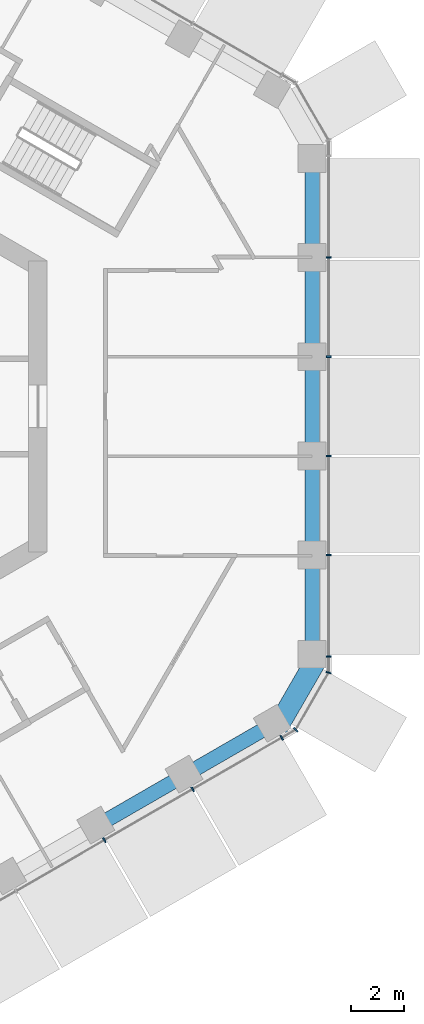
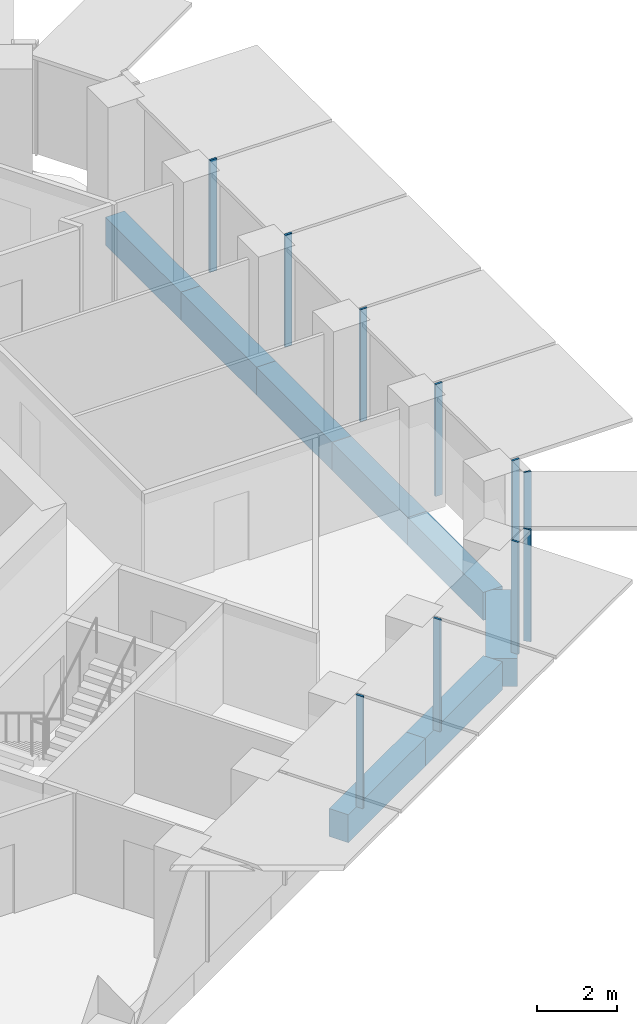
# One storey, part 4 of 18: 10 members, 8 beams, 3 elements without a shape of their own.
"""IFC4 building model written with IfcOpenShell, lengths in metres."""

import ifcopenshell
import ifcopenshell.guid

model = None  # the IFC model being written
_history = None  # IfcOwnerHistory: only IFC2X3 demands one
_inside = {}  # id of a spatial element -> (the spatial element, [elements in it])
_under = {}  # id of a project, library or spatial element -> (it, [spatial elements below it])
_declared = {}  # id of a project -> (the project, [libraries it declares])
_typed = {}  # id of a type object -> (the type object, [elements of that type])
_made_of = {}  # id of a material, layer set ... -> (it, [elements and type objects made of it])


def new_model(schema):
    """Start an empty IFC model of exactly this schema.

    Asked for "IFC4X3", IfcOpenShell would pick the latest addendum, in which some entities
    have other attributes; the version numbers below select the first issue.
    IFC2X3 requires an IfcOwnerHistory on every rooted entity: one is made here for all.
    """
    global model, _history
    if schema == "IFC4X3":
        model = ifcopenshell.file(schema_version=(4, 3, 0, 0))
    else:
        model = ifcopenshell.file(schema=schema)
    _inside.clear()
    _under.clear()
    _declared.clear()
    _typed.clear()
    _made_of.clear()
    _history = None
    if model.schema == "IFC2X3":
        org = make("IfcOrganization", Name="unknown")
        user = make(
            "IfcPersonAndOrganization",
            ThePerson=make("IfcPerson", FamilyName="unknown"),
            TheOrganization=org,
        )
        app = make(
            "IfcApplication",
            ApplicationDeveloper=org,
            Version="unknown",
            ApplicationFullName="unknown",
            ApplicationIdentifier="unknown",
        )
        _history = make(
            "IfcOwnerHistory",
            OwningUser=user,
            OwningApplication=app,
            ChangeAction="ADDED",
            CreationDate=0,
        )
    return model


def make(cls, **values):
    """One entity of the class cls with the attributes given. An attribute that is None is left unset."""
    return model.create_entity(
        cls, **{name: value for name, value in values.items() if value is not None}
    )


def rooted(cls, **values):
    """An entity with a GlobalId (a new one), such as an element, a storey or a relation."""
    return make(cls, GlobalId=ifcopenshell.guid.new(), OwnerHistory=_history, **values)


def si_unit(unit_type, name, prefix=None):
    """IfcSIUnit, for example si_unit("LENGTHUNIT", "METRE", prefix="MILLI")."""
    return make("IfcSIUnit", UnitType=unit_type, Prefix=prefix, Name=name)


def assignment(units):
    """IfcUnitAssignment: the units of a project."""
    return None if units is None else make("IfcUnitAssignment", Units=units)


def point(xyz):
    """IfcCartesianPoint."""
    return None if xyz is None else make("IfcCartesianPoint", Coordinates=xyz)


def direction(xyz):
    """IfcDirection."""
    return None if xyz is None else make("IfcDirection", DirectionRatios=xyz)


def frame(location, z_axis=None, x_axis=None):
    """IfcAxis2Placement3D, a coordinate frame: its origin and axes. An axis left out is left unset."""
    return make(
        "IfcAxis2Placement3D",
        Location=point(location),
        Axis=direction(z_axis),
        RefDirection=direction(x_axis),
    )


def frame_2d(location, x_axis=None):
    """IfcAxis2Placement2D, a coordinate frame in the plane: its origin and x axis."""
    return make(
        "IfcAxis2Placement2D", Location=point(location), RefDirection=direction(x_axis)
    )


def origin():
    """The frame at (0, 0, 0) with its axes left unset."""
    return frame((0.0, 0.0, 0.0))


def origin_2d():
    """The frame at (0, 0) in the plane with its x axis left unset."""
    return frame_2d((0.0, 0.0))


def place(relative_to, where):
    """IfcLocalPlacement: puts the frame where relative to a parent placement (None: the world)."""
    return make(
        "IfcLocalPlacement", PlacementRelTo=relative_to, RelativePlacement=where
    )


def context(
    kind, dimensions, precision=None, world=None, true_north=None, identifier=None
):
    """IfcGeometricRepresentationContext, for example the 3D "Model" context."""
    return make(
        "IfcGeometricRepresentationContext",
        ContextIdentifier=identifier,
        ContextType=kind,
        CoordinateSpaceDimension=dimensions,
        Precision=precision,
        WorldCoordinateSystem=world,
        TrueNorth=true_north,
    )


def subcontext(parent, identifier, kind, view, scale=None):
    """IfcGeometricRepresentationSubContext, for example "Body" below "Model"."""
    return make(
        "IfcGeometricRepresentationSubContext",
        ContextIdentifier=identifier,
        ContextType=kind,
        ParentContext=parent,
        TargetScale=scale,
        TargetView=view,
    )


def project(units=None, contexts=None):
    """IfcProject with its units and contexts."""
    return rooted(
        "IfcProject",
        Name="project",
        RepresentationContexts=contexts,
        UnitsInContext=assignment(units),
    )


def spatial(cls, under=None, at=None, **own):
    """A site, building, storey or space (cls), placed at a placement, below another one or the project."""
    s = rooted(cls, ObjectPlacement=at, **own)
    if under is not None:
        _under.setdefault(under.id(), (under, []))[1].append(s)
    return s


def profile(cls, at=None, kind="AREA", **sizes):
    """A parametric profile (cls). Its sizes go by their IFC names, for example OverallWidth=200.0."""
    return make(cls, ProfileType=kind, Position=at, **sizes)


def rectangle(**sizes):
    """IfcRectangleProfileDef."""
    return profile("IfcRectangleProfileDef", **sizes)


def extrude(swept, where, along, depth):
    """IfcExtrudedAreaSolid: the profile swept, set in the frame where, extruded along a direction by depth."""
    return make(
        "IfcExtrudedAreaSolid",
        SweptArea=swept,
        Position=where,
        ExtrudedDirection=direction(along),
        Depth=depth,
    )


def shape(context_of_items, identifier, shape_type, items):
    """IfcShapeRepresentation: the items that make up one representation, for example the "Body"."""
    return make(
        "IfcShapeRepresentation",
        ContextOfItems=context_of_items,
        RepresentationIdentifier=identifier,
        RepresentationType=shape_type,
        Items=items,
    )


def material(Name=None, Category=None):
    """IfcMaterial."""
    return make("IfcMaterial", Name=Name, Category=Category)


def layer(
    of_material, thickness, ventilated=None, Name=None, Category=None, Priority=None
):
    """IfcMaterialLayer: one layer of a wall or slab, of a material (None: an air gap)."""
    return make(
        "IfcMaterialLayer",
        Material=of_material,
        LayerThickness=thickness,
        IsVentilated=ventilated,
        Name=Name,
        Category=Category,
        Priority=Priority,
    )


def layer_set(layers, Name=None):
    """IfcMaterialLayerSet."""
    return make("IfcMaterialLayerSet", MaterialLayers=layers, LayerSetName=Name)


def material_profile(
    of_material, cross_section, Name=None, Category=None, Priority=None
):
    """IfcMaterialProfile: a cross section and its material."""
    return make(
        "IfcMaterialProfile",
        Name=Name,
        Material=of_material,
        Profile=cross_section,
        Priority=Priority,
        Category=Category,
    )


def profile_set(profiles, Name=None, composite=None):
    """IfcMaterialProfileSet."""
    return make(
        "IfcMaterialProfileSet",
        Name=Name,
        MaterialProfiles=profiles,
        CompositeProfile=composite,
    )


def made_of(thing, what):
    """Note that an element or type object is made of a material, layer set ...; save() writes the relation."""
    if what is not None:
        _made_of.setdefault(what.id(), (what, []))[1].append(thing)
    return thing


def type_object(cls, material=None, **own):
    """A type object (cls), such as IfcWallType, which elements share."""
    return made_of(rooted(cls, **own), material)


def element(
    cls,
    number,
    at=None,
    inside=None,
    cuts=None,
    type_object=None,
    material=None,
    context=None,
    identifier="Body",
    shape_type=None,
    held_by="IfcProductDefinitionShape",
    body=None,
    shapes=None,
    **own,
):
    """One element of the class cls, such as IfcWall. Its Tag is "e" and its number.

    at: its placement. inside: the storey or other place that contains it. cuts: it is an
    opening in that element (IfcRelVoidsElement). A single representation is given by context,
    identifier, shape_type and body (its items); several are given by shapes. held_by: the class
    of the entity that holds the representations. save() writes the other relations.
    """
    e = rooted(cls, Tag="e%d" % number, ObjectPlacement=at, **own)
    if body is not None:
        shapes = [shape(context, identifier, shape_type, body)]
    if shapes is not None:
        e.Representation = make(held_by, Representations=shapes)
    if inside is not None:
        _inside.setdefault(inside.id(), (inside, []))[1].append(e)
    if cuts is not None:
        rooted(
            "IfcRelVoidsElement", RelatingBuildingElement=cuts, RelatedOpeningElement=e
        )
    if type_object is not None:
        _typed.setdefault(type_object.id(), (type_object, []))[1].append(e)
    return made_of(e, material)


def aggregate(whole, parts):
    """IfcRelAggregates: a whole, such as a stair, and the parts it consists of."""
    return rooted("IfcRelAggregates", RelatingObject=whole, RelatedObjects=parts)


def save(model, path):
    """Write the relations noted so far, then the file.

    IfcRelAggregates (storeys below a building ...), IfcRelContainedInSpatialStructure (elements
    in a storey), IfcRelDefinesByType, IfcRelAssociatesMaterial and IfcRelDeclares: one each for
    every whole, place, type object, material and project.
    """
    for whole, parts in _under.values():
        aggregate(whole, parts)
    for where, things in _inside.values():
        rooted(
            "IfcRelContainedInSpatialStructure",
            RelatedElements=things,
            RelatingStructure=where,
        )
    for kind, things in _typed.values():
        rooted("IfcRelDefinesByType", RelatedObjects=things, RelatingType=kind)
    for what, things in _made_of.values():
        rooted("IfcRelAssociatesMaterial", RelatedObjects=things, RelatingMaterial=what)
    for by, libraries in _declared.values():
        rooted("IfcRelDeclares", RelatingContext=by, RelatedDefinitions=libraries)
    model.write(path)


model = new_model("IFC4")

# Units and contexts
model_context = context("Model", 3, precision=1e-05, world=origin(), true_north=direction((0.0, 1.0)))
body_context = subcontext(model_context, "Body", "Model", "MODEL_VIEW")
ifc_project = project(units=[si_unit("LENGTHUNIT", "METRE"), si_unit("AREAUNIT", "SQUARE_METRE"), si_unit("VOLUMEUNIT", "CUBIC_METRE"), si_unit("PLANEANGLEUNIT", "RADIAN"), si_unit("MASSUNIT", "GRAM", prefix="KILO")], contexts=[model_context])

# Site, building, storey
site_placement = place(None, origin())
site = spatial("IfcSite", under=ifc_project, at=site_placement, CompositionType="ELEMENT")
building_placement = place(site_placement, origin())
building = spatial("IfcBuilding", under=site, at=building_placement, Name="Ayvan Gate Tower", CompositionType="ELEMENT")
storey_placement = place(building_placement, frame((0.0, 0.0, 89.89990234375)))
storey = spatial("IfcBuildingStorey", under=building, at=storey_placement, Name="L23", CompositionType="ELEMENT", Elevation=89.89990234375)

# Beams
ifc_material_1 = material(Name="Concrete C40/50", Category="concrete")
ifc_material_profile_1 = material_profile(ifc_material_1, rectangle(XDim=0.800048828125, YDim=0.85009765625, at=origin_2d()), Name="RC 800x850")
ifc_profile_set_1 = profile_set([ifc_material_profile_1], Name="Concrete C40/50")
beam_type_1 = type_object("IfcBeamType", Name="Corner spandrel beam RC 800x850 C40/50", PredefinedType="BEAM", material=ifc_profile_set_1)
beam_1_placement = place(storey_placement, frame((18.176025390625, -12.1044921875, -0.77490234375), z_axis=(0.50002537861, 0.866010750942, 0.0), x_axis=(-0.866010750942, 0.50002537861, 0.0)))
element("IfcBeam", 1, at=beam_1_placement, inside=storey, type_object=beam_type_1, Name="SB-L23-36", PredefinedType="BEAM", context=body_context, shape_type="SweptSolid", body=[
    extrude(rectangle(XDim=0.800048828125, YDim=0.85009765625, at=origin_2d()), origin(), (0.0, 0.0, 1.0), 2.999755859375),
])
ifc_material_profile_2 = material_profile(ifc_material_1, rectangle(XDim=0.550048828125, YDim=0.85009765625, at=origin_2d()), Name="RC 550x850")
ifc_profile_set_2 = profile_set([ifc_material_profile_2], Name="Concrete C40/50")
beam_type_2 = type_object("IfcBeamType", Name="Spandrel beam RC 550x850 C40/50", PredefinedType="BEAM", material=ifc_profile_set_2)
for number, where, z_axis, x_axis, name in (
    (2, (19.485595703125, -9.396484375, -0.77490234375), (0.0, 1.0, 0.0), (-1.0, 0.0, 0.0), "SB-L23-1"),
    (3, (19.485595703125, -5.637939453125, -0.77490234375), (0.0, 1.0, 0.0), (-1.0, 0.0, 0.0), "SB-L23-2"),
):
    element("IfcBeam", number, at=place(storey_placement, frame(where, z_axis=z_axis, x_axis=x_axis)), inside=storey, type_object=beam_type_2, Name=name, PredefinedType="BEAM", context=body_context, shape_type="SweptSolid", body=[
        extrude(rectangle(XDim=0.550048828125, YDim=0.85009765625, at=origin_2d()), origin(), (0.0, 0.0, 1.0), 3.758544921875),
    ])
beam_2_placement = place(storey_placement, frame((19.485595703125, -1.87939453125, -0.77490234375), z_axis=(0.0, 1.0, 0.0), x_axis=(-1.0, 0.0, 0.0)))
element("IfcBeam", 4, at=beam_2_placement, inside=storey, type_object=beam_type_2, Name="SB-L23-3", PredefinedType="BEAM", context=body_context, shape_type="SweptSolid", body=[
    extrude(rectangle(XDim=0.550048828125, YDim=0.85009765625, at=origin_2d()), origin(), (0.0, 0.0, 1.0), 3.7587890625),
])
for number, where, z_axis, x_axis, name in (
    (5, (19.485595703125, 1.87939453125, -0.77490234375), (0.0, 1.0, 0.0), (-1.0, 0.0, 0.0), "SB-L23-4"),
    (6, (19.485595703125, 5.637939453125, -0.77490234375), (0.0, 1.0, 0.0), (-1.0, 0.0, 0.0), "SB-L23-5"),
):
    element("IfcBeam", number, at=place(storey_placement, frame(where, z_axis=z_axis, x_axis=x_axis)), inside=storey, type_object=beam_type_2, Name=name, PredefinedType="BEAM", context=body_context, shape_type="SweptSolid", body=[
        extrude(rectangle(XDim=0.550048828125, YDim=0.85009765625, at=origin_2d()), origin(), (0.0, 0.0, 1.0), 3.758544921875),
    ])
for number, where, z_axis, x_axis, name in (
    (7, (11.349365234375, -15.826171875, -0.77490234375), (0.866018988906, 0.500011110731, 0.0), (-0.500011110731, 0.866018988906, 0.0), "SB-L23-34"),
    (8, (14.66748046875, -13.910400390625, -0.77490234375), (0.866018988906, 0.500011110731, 0.0), (-0.500011110731, 0.866018988906, 0.0), "SB-L23-35"),
):
    element("IfcBeam", number, at=place(storey_placement, frame(where, z_axis=z_axis, x_axis=x_axis)), inside=storey, type_object=beam_type_2, Name=name, PredefinedType="BEAM", context=body_context, shape_type="SweptSolid", body=[
        extrude(rectangle(XDim=0.550048828125, YDim=0.85009765625, at=origin_2d()), origin(), (0.0, 0.0, 1.0), 3.83154296875),
    ])

# Curtain wall, members
ifc_material_2 = material(Name="Bronze anodised aluminium", Category="aluminium")
ifc_layer_1 = layer(ifc_material_2, 0.199951171875)
ifc_layer_set_1 = layer_set([ifc_layer_1], Name="Bronze anodised aluminium")
curtain_wall_type_1 = type_object("IfcCurtainWallType", Name="Stick curtain wall CW-1", PredefinedType="NOTDEFINED", material=ifc_layer_set_1)
curtain_wall_1_placement = place(storey_placement, origin())
curtain_wall_1 = element("IfcCurtainWall", 9, at=curtain_wall_1_placement, inside=storey, type_object=curtain_wall_type_1, Name="Stick curtain wall CW-1 L23", PredefinedType="NOTDEFINED")
ifc_material_profile_3 = material_profile(ifc_material_2, rectangle(XDim=0.199951171875, YDim=0.06005859375, at=origin_2d()), Name="Stick curtain wall CW-1 mullion 200 x 60")
ifc_profile_set_3 = profile_set([ifc_material_profile_3], Name="Bronze anodised aluminium")
member_type_1 = type_object("IfcMemberType", Name="Stick curtain wall CW-1 mullion 200 x 60", PredefinedType="MULLION", material=ifc_profile_set_3)
member_1_placement = place(storey_placement, frame((11.658935546875, -16.353271484375, 0.0), z_axis=(0.0, 0.0, 1.0), x_axis=(0.5, -0.866025403784, 0.0)))
member_1 = element("IfcMember", 10, at=member_1_placement, type_object=member_type_1, Name="CW-1 mullion 4", PredefinedType="MULLION", context=body_context, shape_type="SweptSolid", body=[
    extrude(rectangle(XDim=0.199951171875, YDim=0.06005859375, at=origin_2d()), origin(), (0.0, 0.0, 1.0), 3.400146484375),
])
member_2_placement = place(storey_placement, frame((14.986083984375, -14.432373046875, 0.0), z_axis=(0.0, 0.0, 1.0), x_axis=(0.5, -0.866025403784, 0.0)))
member_2 = element("IfcMember", 11, at=member_2_placement, type_object=member_type_1, Name="CW-1 mullion 5", PredefinedType="MULLION", context=body_context, shape_type="SweptSolid", body=[
    extrude(rectangle(XDim=0.199951171875, YDim=0.06005859375, at=origin_2d()), origin(), (0.0, 0.0, 1.0), 3.400146484375),
])
member_3_placement = place(storey_placement, frame((18.34326171875, -12.494140625, 0.0), z_axis=(0.0, 0.0, 1.0), x_axis=(0.5, -0.866025403784, 0.0)))
member_3 = element("IfcMember", 12, at=member_3_placement, type_object=member_type_1, Name="CW-1 mullion 6", PredefinedType="MULLION", context=body_context, shape_type="SweptSolid", body=[
    extrude(rectangle(XDim=0.199951171875, YDim=0.06005859375, at=origin_2d()), origin(), (0.0, 0.0, 1.0), 3.400146484375),
])
aggregate(curtain_wall_1, [member_1, member_2, member_3])

curtain_wall_2_placement = place(storey_placement, origin())
curtain_wall_2 = element("IfcCurtainWall", 13, at=curtain_wall_2_placement, inside=storey, type_object=curtain_wall_type_1, Name="Stick curtain wall CW-1 L23", PredefinedType="NOTDEFINED")
member_4_placement = place(storey_placement, frame((20.110595703125, -9.43310546875, 0.0), z_axis=(0.0, 0.0, 1.0), x_axis=(1.0, 0.0, 0.0)))
member_4 = element("IfcMember", 14, at=member_4_placement, type_object=member_type_1, Name="CW-1 mullion 1", PredefinedType="MULLION", context=body_context, shape_type="SweptSolid", body=[
    extrude(rectangle(XDim=0.199951171875, YDim=0.06005859375, at=origin_2d()), origin(), (0.0, 0.0, 1.0), 3.400146484375),
])
member_5_placement = place(storey_placement, frame((20.110595703125, -5.608154296875, 0.0), z_axis=(0.0, 0.0, 1.0), x_axis=(1.0, 0.0, 0.0)))
member_5 = element("IfcMember", 15, at=member_5_placement, type_object=member_type_1, Name="CW-1 mullion 2", PredefinedType="MULLION", context=body_context, shape_type="SweptSolid", body=[
    extrude(rectangle(XDim=0.199951171875, YDim=0.06005859375, at=origin_2d()), origin(), (0.0, 0.0, 1.0), 3.400146484375),
])
member_6_placement = place(storey_placement, frame((20.110595703125, -1.869140625, 0.0), z_axis=(0.0, 0.0, 1.0), x_axis=(1.0, 0.0, 0.0)))
member_6 = element("IfcMember", 16, at=member_6_placement, type_object=member_type_1, Name="CW-1 mullion 3", PredefinedType="MULLION", context=body_context, shape_type="SweptSolid", body=[
    extrude(rectangle(XDim=0.199951171875, YDim=0.06005859375, at=origin_2d()), origin(), (0.0, 0.0, 1.0), 3.400146484375),
])
member_7_placement = place(storey_placement, frame((20.110595703125, 1.869873046875, 0.0), z_axis=(0.0, 0.0, 1.0), x_axis=(1.0, 0.0, 0.0)))
member_7 = element("IfcMember", 17, at=member_7_placement, type_object=member_type_1, Name="CW-1 mullion 4", PredefinedType="MULLION", context=body_context, shape_type="SweptSolid", body=[
    extrude(rectangle(XDim=0.199951171875, YDim=0.06005859375, at=origin_2d()), origin(), (0.0, 0.0, 1.0), 3.400146484375),
])
member_8_placement = place(storey_placement, frame((20.110595703125, 5.60791015625, 0.0), z_axis=(0.0, 0.0, 1.0), x_axis=(1.0, 0.0, 0.0)))
member_8 = element("IfcMember", 18, at=member_8_placement, type_object=member_type_1, Name="CW-1 mullion 5", PredefinedType="MULLION", context=body_context, shape_type="SweptSolid", body=[
    extrude(rectangle(XDim=0.199951171875, YDim=0.06005859375, at=origin_2d()), origin(), (0.0, 0.0, 1.0), 3.400146484375),
])
aggregate(curtain_wall_2, [member_4, member_5, member_6, member_7, member_8])

ifc_layer_2 = layer(ifc_material_2, 0.199951171875)
ifc_layer_set_2 = layer_set([ifc_layer_2], Name="Bronze anodised aluminium")
curtain_wall_type_2 = type_object("IfcCurtainWallType", Name="Stick curtain wall CW-6", PredefinedType="NOTDEFINED", material=ifc_layer_set_2)
curtain_wall_3_placement = place(storey_placement, origin())
curtain_wall_3 = element("IfcCurtainWall", 19, at=curtain_wall_3_placement, inside=storey, type_object=curtain_wall_type_2, Name="Stick curtain wall CW-6 L23", PredefinedType="NOTDEFINED")
ifc_material_profile_4 = material_profile(ifc_material_2, rectangle(XDim=0.199951171875, YDim=0.050048828125, at=origin_2d()), Name="Stick curtain wall CW-6 mullion 200 x 50")
ifc_profile_set_4 = profile_set([ifc_material_profile_4], Name="Bronze anodised aluminium")
member_type_2 = type_object("IfcMemberType", Name="Stick curtain wall CW-6 mullion 200 x 50", PredefinedType="MULLION", material=ifc_profile_set_4)
member_9_placement = place(storey_placement, frame((18.8671875, -12.191650390625, 0.0), z_axis=(0.0, 0.0, 1.0), x_axis=(0.707106781187, -0.707106781187, 0.0)))
member_9 = element("IfcMember", 20, at=member_9_placement, type_object=member_type_2, Name="CW-6 mullion 2", PredefinedType="MULLION", context=body_context, shape_type="SweptSolid", body=[
    extrude(rectangle(XDim=0.199951171875, YDim=0.050048828125, at=origin_2d()), origin(), (0.0, 0.0, 1.0), 3.400146484375),
])
member_10_placement = place(storey_placement, frame((20.110595703125, -10.0380859375, 0.0), z_axis=(0.0, 0.0, 1.0), x_axis=(0.965925826289, -0.258819045103, 0.0)))
member_10 = element("IfcMember", 21, at=member_10_placement, type_object=member_type_2, Name="CW-6 mullion 3", PredefinedType="MULLION", context=body_context, shape_type="SweptSolid", body=[
    extrude(rectangle(XDim=0.199951171875, YDim=0.050048828125, at=origin_2d()), origin(), (0.0, 0.0, 1.0), 3.400146484375),
])
aggregate(curtain_wall_3, [member_9, member_10])

save(model, "model.ifc")
